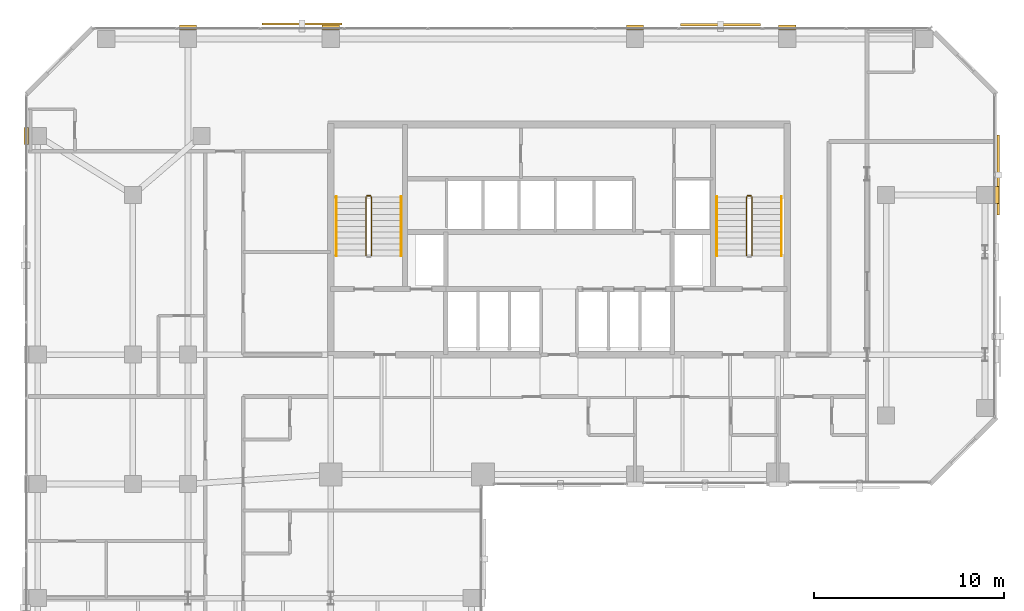
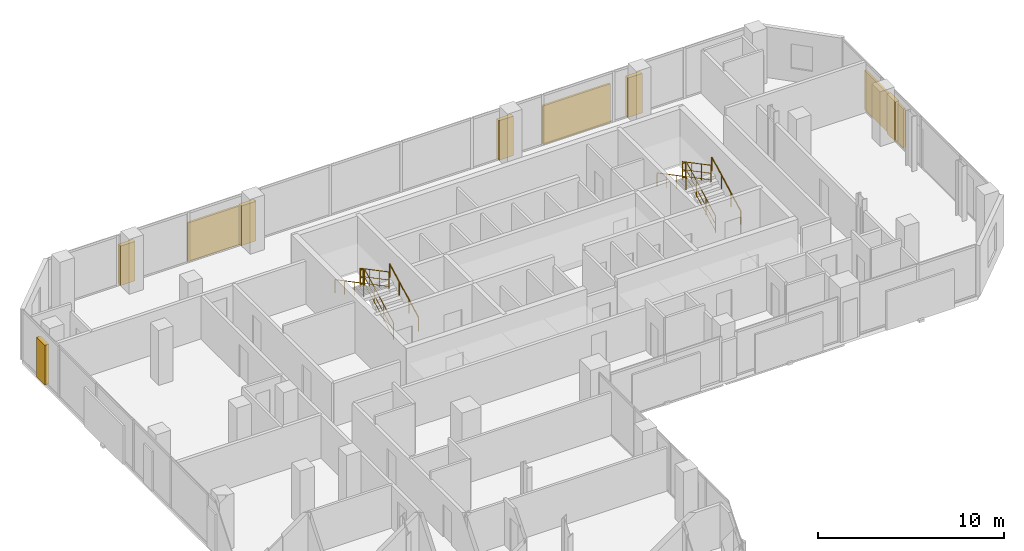
# One storey, part 35 of 35: 10 railings, 6 coverings, 3 shading devices.
"""IFC4 building model written with IfcOpenShell, lengths in metres."""

from ifc_helpers import new_model, si_unit, direction, frame, origin, origin_2d, place, context, subcontext, project, spatial, rectangle, circle, extrude, material, layer, layer_set, type_object, element, save


model = new_model("IFC4")

# Units and contexts
model_context = context("Model", 3, precision=1e-05, world=origin(), true_north=direction((0.0, 1.0)))
body_context = subcontext(model_context, "Body", "Model", "MODEL_VIEW")
ifc_project = project(units=[si_unit("LENGTHUNIT", "METRE"), si_unit("AREAUNIT", "SQUARE_METRE"), si_unit("VOLUMEUNIT", "CUBIC_METRE"), si_unit("PLANEANGLEUNIT", "RADIAN"), si_unit("MASSUNIT", "GRAM", prefix="KILO")], contexts=[model_context])

# Site, building, storey
site_placement = place(None, origin())
site = spatial("IfcSite", under=ifc_project, at=site_placement, CompositionType="ELEMENT")
building_placement = place(site_placement, origin())
building = spatial("IfcBuilding", under=site, at=building_placement, Name="Catumbela Crestline Tower", CompositionType="ELEMENT")
storey_placement = place(building_placement, frame((0.0, 0.0, 90.0)))
storey = spatial("IfcBuildingStorey", under=building, at=storey_placement, Name="L22", CompositionType="ELEMENT", Elevation=90.0)

# Coverings
ifc_material_1 = material(Name="Extruded terracotta ceramic", Category="masonry")
ifc_layer = layer(ifc_material_1, 0.08, Name="Extruded terracotta ceramic")
ifc_layer_set = layer_set([ifc_layer], Name="Extruded terracotta ceramic")
covering_type = type_object("IfcCoveringType", Name="CC-TER", PredefinedType="CLADDING", material=ifc_layer_set)
for number, where, z_axis, x_axis, name in (
    (1, (51.0, 39.2, 0.0), (0.0, 0.0, 1.0), (0.0, 1.0, 0.0), "L22 Fluted Terracotta Column Cladding 86"),
    (2, (8.5, 48.0, 0.0), (0.0, 0.0, 1.0), (-1.0, 0.0, 0.0), "L22 Fluted Terracotta Column Cladding 89"),
    (3, (16.0, 48.0, 0.0), (0.0, 0.0, 1.0), (-1.0, 0.0, 0.0), "L22 Fluted Terracotta Column Cladding 90"),
    (4, (32.0, 48.0, 0.0), (0.0, 0.0, 1.0), (-1.0, 0.0, 0.0), "L22 Fluted Terracotta Column Cladding 91"),
    (5, (40.0, 48.0, 0.0), (0.0, 0.0, 1.0), (-1.0, 0.0, 0.0), "L22 Fluted Terracotta Column Cladding 92"),
    (6, (0.0, 42.3, 0.0), (0.0, 0.0, 1.0), (0.0, -1.0, 0.0), "L22 Fluted Terracotta Column Cladding 95"),
):
    element("IfcCovering", number, at=place(storey_placement, frame(where, z_axis=z_axis, x_axis=x_axis)), inside=storey, type_object=covering_type, Name=name, PredefinedType="CLADDING", context=body_context, shape_type="SweptSolid", body=[
        extrude(rectangle(XDim=0.9, YDim=0.24, at=origin_2d()), origin(), (0.0, 0.0, 1.0), 2.6),
    ])

# Railings
ifc_material_2 = material(Name="Stainless steel EN 1.4401", Category="steel")
railing_type_1 = type_object("IfcRailingType", Name="RG-1100", PredefinedType="GUARDRAIL", material=ifc_material_2)
railing_1_placement = place(storey_placement, frame((18.14, 36.0, 0.1636)))
element("IfcRailing", 7, at=railing_1_placement, inside=storey, type_object=railing_type_1, Name="L22 ST-01 stair guard 1", PredefinedType="GUARDRAIL", context=body_context, shape_type="SweptSolid", body=[
    extrude(circle(Radius=0.024, at=origin_2d()), frame((0.0, 0.0, 1.076), z_axis=(0.0, 0.884350731049, 0.466823076222), x_axis=(-1.0, 0.0, 0.0)), (0.0, 0.0, 1.0), 3.5054),
    extrude(circle(Radius=0.0156, at=origin_2d()), frame((0.0, 0.0, 0.55), z_axis=(0.0, 0.884350731049, 0.466823076222), x_axis=(-1.0, 0.0, 0.0)), (0.0, 0.0, 1.0), 3.5054),
    extrude(circle(Radius=0.0156, at=origin_2d()), frame((0.0, 0.0, 0.12), z_axis=(0.0, 0.884350731049, 0.466823076222), x_axis=(-1.0, 0.0, 0.0)), (0.0, 0.0, 1.0), 3.5054),
    extrude(circle(Radius=0.021, at=origin_2d()), origin(), (0.0, 0.0, 1.0), 1.052),
    extrude(circle(Radius=0.021, at=origin_2d()), frame((0.0, 1.0333, 0.5455)), (0.0, 0.0, 1.0), 1.052),
    extrude(circle(Radius=0.021, at=origin_2d()), frame((0.0, 2.0667, 1.0909)), (0.0, 0.0, 1.0), 1.052),
    extrude(circle(Radius=0.021, at=origin_2d()), frame((0.0, 3.1, 1.6364)), (0.0, 0.0, 1.0), 1.052),
])
railing_2_placement = place(storey_placement, frame((18.09, 39.15, 1.8)))
element("IfcRailing", 8, at=railing_2_placement, inside=storey, type_object=railing_type_1, Name="L22 ST-01 stair guard 2", PredefinedType="GUARDRAIL", context=body_context, shape_type="SweptSolid", body=[
    extrude(circle(Radius=0.024, at=origin_2d()), frame((0.0, 0.0, 1.076), z_axis=(-1.0, 0.0, 0.0), x_axis=(0.0, -1.0, 0.0)), (0.0, 0.0, 1.0), 0.18),
    extrude(circle(Radius=0.0156, at=origin_2d()), frame((0.0, 0.0, 0.55), z_axis=(-1.0, 0.0, 0.0), x_axis=(0.0, -1.0, 0.0)), (0.0, 0.0, 1.0), 0.18),
    extrude(circle(Radius=0.0156, at=origin_2d()), frame((0.0, 0.0, 0.12), z_axis=(-1.0, 0.0, 0.0), x_axis=(0.0, -1.0, 0.0)), (0.0, 0.0, 1.0), 0.18),
    extrude(circle(Radius=0.021, at=origin_2d()), origin(), (0.0, 0.0, 1.0), 1.052),
    extrude(circle(Radius=0.021, at=origin_2d()), frame((-0.18, 0.0, 0.0)), (0.0, 0.0, 1.0), 1.052),
])
railing_3_placement = place(storey_placement, frame((17.86, 39.1, 1.9636)))
element("IfcRailing", 9, at=railing_3_placement, inside=storey, type_object=railing_type_1, Name="L22 ST-01 stair guard 3", PredefinedType="GUARDRAIL", context=body_context, shape_type="SweptSolid", body=[
    extrude(circle(Radius=0.024, at=origin_2d()), frame((0.0, 0.0, 1.076), z_axis=(0.0, -0.884350731049, 0.466823076222), x_axis=(1.0, 0.0, 0.0)), (0.0, 0.0, 1.0), 3.5054),
    extrude(circle(Radius=0.0156, at=origin_2d()), frame((0.0, 0.0, 0.55), z_axis=(0.0, -0.884350731049, 0.466823076222), x_axis=(1.0, 0.0, 0.0)), (0.0, 0.0, 1.0), 3.5054),
    extrude(circle(Radius=0.0156, at=origin_2d()), frame((0.0, 0.0, 0.12), z_axis=(0.0, -0.884350731049, 0.466823076222), x_axis=(1.0, 0.0, 0.0)), (0.0, 0.0, 1.0), 3.5054),
    extrude(circle(Radius=0.021, at=origin_2d()), origin(), (0.0, 0.0, 1.0), 1.052),
    extrude(circle(Radius=0.021, at=origin_2d()), frame((0.0, -1.0333, 0.5455)), (0.0, 0.0, 1.0), 1.052),
    extrude(circle(Radius=0.021, at=origin_2d()), frame((0.0, -2.0667, 1.0909)), (0.0, 0.0, 1.0), 1.052),
    extrude(circle(Radius=0.021, at=origin_2d()), frame((0.0, -3.1, 1.6364)), (0.0, 0.0, 1.0), 1.052),
])
railing_4_placement = place(storey_placement, frame((38.14, 36.0, 0.1636)))
element("IfcRailing", 10, at=railing_4_placement, inside=storey, type_object=railing_type_1, Name="L22 ST-02 stair guard 1", PredefinedType="GUARDRAIL", context=body_context, shape_type="SweptSolid", body=[
    extrude(circle(Radius=0.024, at=origin_2d()), frame((0.0, 0.0, 1.076), z_axis=(0.0, 0.884350731049, 0.466823076222), x_axis=(-1.0, 0.0, 0.0)), (0.0, 0.0, 1.0), 3.5054),
    extrude(circle(Radius=0.0156, at=origin_2d()), frame((0.0, 0.0, 0.55), z_axis=(0.0, 0.884350731049, 0.466823076222), x_axis=(-1.0, 0.0, 0.0)), (0.0, 0.0, 1.0), 3.5054),
    extrude(circle(Radius=0.0156, at=origin_2d()), frame((0.0, 0.0, 0.12), z_axis=(0.0, 0.884350731049, 0.466823076222), x_axis=(-1.0, 0.0, 0.0)), (0.0, 0.0, 1.0), 3.5054),
    extrude(circle(Radius=0.021, at=origin_2d()), origin(), (0.0, 0.0, 1.0), 1.052),
    extrude(circle(Radius=0.021, at=origin_2d()), frame((0.0, 1.0333, 0.5455)), (0.0, 0.0, 1.0), 1.052),
    extrude(circle(Radius=0.021, at=origin_2d()), frame((0.0, 2.0667, 1.0909)), (0.0, 0.0, 1.0), 1.052),
    extrude(circle(Radius=0.021, at=origin_2d()), frame((0.0, 3.1, 1.6364)), (0.0, 0.0, 1.0), 1.052),
])
railing_5_placement = place(storey_placement, frame((38.09, 39.15, 1.8)))
element("IfcRailing", 11, at=railing_5_placement, inside=storey, type_object=railing_type_1, Name="L22 ST-02 stair guard 2", PredefinedType="GUARDRAIL", context=body_context, shape_type="SweptSolid", body=[
    extrude(circle(Radius=0.024, at=origin_2d()), frame((0.0, 0.0, 1.076), z_axis=(-1.0, 0.0, 0.0), x_axis=(0.0, -1.0, 0.0)), (0.0, 0.0, 1.0), 0.18),
    extrude(circle(Radius=0.0156, at=origin_2d()), frame((0.0, 0.0, 0.55), z_axis=(-1.0, 0.0, 0.0), x_axis=(0.0, -1.0, 0.0)), (0.0, 0.0, 1.0), 0.18),
    extrude(circle(Radius=0.0156, at=origin_2d()), frame((0.0, 0.0, 0.12), z_axis=(-1.0, 0.0, 0.0), x_axis=(0.0, -1.0, 0.0)), (0.0, 0.0, 1.0), 0.18),
    extrude(circle(Radius=0.021, at=origin_2d()), origin(), (0.0, 0.0, 1.0), 1.052),
    extrude(circle(Radius=0.021, at=origin_2d()), frame((-0.18, 0.0, 0.0)), (0.0, 0.0, 1.0), 1.052),
])
railing_6_placement = place(storey_placement, frame((37.86, 39.1, 1.9636)))
element("IfcRailing", 12, at=railing_6_placement, inside=storey, type_object=railing_type_1, Name="L22 ST-02 stair guard 3", PredefinedType="GUARDRAIL", context=body_context, shape_type="SweptSolid", body=[
    extrude(circle(Radius=0.024, at=origin_2d()), frame((0.0, 0.0, 1.076), z_axis=(0.0, -0.884350731049, 0.466823076222), x_axis=(1.0, 0.0, 0.0)), (0.0, 0.0, 1.0), 3.5054),
    extrude(circle(Radius=0.0156, at=origin_2d()), frame((0.0, 0.0, 0.55), z_axis=(0.0, -0.884350731049, 0.466823076222), x_axis=(1.0, 0.0, 0.0)), (0.0, 0.0, 1.0), 3.5054),
    extrude(circle(Radius=0.0156, at=origin_2d()), frame((0.0, 0.0, 0.12), z_axis=(0.0, -0.884350731049, 0.466823076222), x_axis=(1.0, 0.0, 0.0)), (0.0, 0.0, 1.0), 3.5054),
    extrude(circle(Radius=0.021, at=origin_2d()), origin(), (0.0, 0.0, 1.0), 1.052),
    extrude(circle(Radius=0.021, at=origin_2d()), frame((0.0, -1.0333, 0.5455)), (0.0, 0.0, 1.0), 1.052),
    extrude(circle(Radius=0.021, at=origin_2d()), frame((0.0, -2.0667, 1.0909)), (0.0, 0.0, 1.0), 1.052),
    extrude(circle(Radius=0.021, at=origin_2d()), frame((0.0, -3.1, 1.6364)), (0.0, 0.0, 1.0), 1.052),
])
railing_type_2 = type_object("IfcRailingType", Name="RH-0900", PredefinedType="HANDRAIL", material=ifc_material_2)
railing_7_placement = place(storey_placement, frame((19.7, 36.0, 0.1636)))
element("IfcRailing", 13, at=railing_7_placement, inside=storey, type_object=railing_type_2, Name="L22 ST-01 stair handrail 1", PredefinedType="HANDRAIL", context=body_context, shape_type="SweptSolid", body=[
    extrude(circle(Radius=0.024, at=origin_2d()), frame((0.0, 0.0, 0.876), z_axis=(0.0, 0.884350731049, 0.466823076222), x_axis=(-1.0, 0.0, 0.0)), (0.0, 0.0, 1.0), 3.5054),
    extrude(circle(Radius=0.021, at=origin_2d()), origin(), (0.0, 0.0, 1.0), 0.852),
    extrude(circle(Radius=0.021, at=origin_2d()), frame((0.0, 1.0333, 0.5455)), (0.0, 0.0, 1.0), 0.852),
    extrude(circle(Radius=0.021, at=origin_2d()), frame((0.0, 2.0667, 1.0909)), (0.0, 0.0, 1.0), 0.852),
    extrude(circle(Radius=0.021, at=origin_2d()), frame((0.0, 3.1, 1.6364)), (0.0, 0.0, 1.0), 0.852),
])
railing_8_placement = place(storey_placement, frame((16.3, 39.1, 1.9636)))
element("IfcRailing", 14, at=railing_8_placement, inside=storey, type_object=railing_type_2, Name="L22 ST-01 stair handrail 2", PredefinedType="HANDRAIL", context=body_context, shape_type="SweptSolid", body=[
    extrude(circle(Radius=0.024, at=origin_2d()), frame((0.0, 0.0, 0.876), z_axis=(0.0, -0.884350731049, 0.466823076222), x_axis=(1.0, 0.0, 0.0)), (0.0, 0.0, 1.0), 3.5054),
    extrude(circle(Radius=0.021, at=origin_2d()), origin(), (0.0, 0.0, 1.0), 0.852),
    extrude(circle(Radius=0.021, at=origin_2d()), frame((0.0, -1.0333, 0.5455)), (0.0, 0.0, 1.0), 0.852),
    extrude(circle(Radius=0.021, at=origin_2d()), frame((0.0, -2.0667, 1.0909)), (0.0, 0.0, 1.0), 0.852),
    extrude(circle(Radius=0.021, at=origin_2d()), frame((0.0, -3.1, 1.6364)), (0.0, 0.0, 1.0), 0.852),
])
railing_9_placement = place(storey_placement, frame((39.7, 36.0, 0.1636)))
element("IfcRailing", 15, at=railing_9_placement, inside=storey, type_object=railing_type_2, Name="L22 ST-02 stair handrail 1", PredefinedType="HANDRAIL", context=body_context, shape_type="SweptSolid", body=[
    extrude(circle(Radius=0.024, at=origin_2d()), frame((0.0, 0.0, 0.876), z_axis=(0.0, 0.884350731049, 0.466823076222), x_axis=(-1.0, 0.0, 0.0)), (0.0, 0.0, 1.0), 3.5054),
    extrude(circle(Radius=0.021, at=origin_2d()), origin(), (0.0, 0.0, 1.0), 0.852),
    extrude(circle(Radius=0.021, at=origin_2d()), frame((0.0, 1.0333, 0.5455)), (0.0, 0.0, 1.0), 0.852),
    extrude(circle(Radius=0.021, at=origin_2d()), frame((0.0, 2.0667, 1.0909)), (0.0, 0.0, 1.0), 0.852),
    extrude(circle(Radius=0.021, at=origin_2d()), frame((0.0, 3.1, 1.6364)), (0.0, 0.0, 1.0), 0.852),
])
railing_10_placement = place(storey_placement, frame((36.3, 39.1, 1.9636)))
element("IfcRailing", 16, at=railing_10_placement, inside=storey, type_object=railing_type_2, Name="L22 ST-02 stair handrail 2", PredefinedType="HANDRAIL", context=body_context, shape_type="SweptSolid", body=[
    extrude(circle(Radius=0.024, at=origin_2d()), frame((0.0, 0.0, 0.876), z_axis=(0.0, -0.884350731049, 0.466823076222), x_axis=(1.0, 0.0, 0.0)), (0.0, 0.0, 1.0), 3.5054),
    extrude(circle(Radius=0.021, at=origin_2d()), origin(), (0.0, 0.0, 1.0), 0.852),
    extrude(circle(Radius=0.021, at=origin_2d()), frame((0.0, -1.0333, 0.5455)), (0.0, 0.0, 1.0), 0.852),
    extrude(circle(Radius=0.021, at=origin_2d()), frame((0.0, -2.0667, 1.0909)), (0.0, 0.0, 1.0), 0.852),
    extrude(circle(Radius=0.021, at=origin_2d()), frame((0.0, -3.1, 1.6364)), (0.0, 0.0, 1.0), 0.852),
])

# Shading devices
shading_device_type_1 = type_object("IfcShadingDeviceType", Name="ST-180", PredefinedType="USERDEFINED", material=ifc_material_1)
shading_device_1_placement = place(storey_placement, frame((51.099, 40.25, -0.1), z_axis=(0.0, 0.0, 1.0), x_axis=(0.0, 1.0, 0.0)))
element("IfcShadingDevice", 17, at=shading_device_1_placement, inside=storey, type_object=shading_device_type_1, Name="L22 Perforated Terracotta Solar Screen 219 (180 mm)", ObjectType="SCREEN", PredefinedType="USERDEFINED", context=body_context, shape_type="SweptSolid", body=[
    extrude(rectangle(XDim=4.2, YDim=0.12, at=origin_2d()), origin(), (0.0, 0.0, 1.0), 2.55),
])
shading_device_type_2 = type_object("IfcShadingDeviceType", Name="ST-260", PredefinedType="USERDEFINED", material=ifc_material_1)
shading_device_2_placement = place(storey_placement, frame((36.5, 48.143, -0.1), z_axis=(0.0, 0.0, 1.0), x_axis=(-1.0, 0.0, 0.0)))
element("IfcShadingDevice", 18, at=shading_device_2_placement, inside=storey, type_object=shading_device_type_2, Name="L22 Perforated Terracotta Solar Screen 220 (260 mm)", ObjectType="SCREEN", PredefinedType="USERDEFINED", context=body_context, shape_type="SweptSolid", body=[
    extrude(rectangle(XDim=4.2, YDim=0.12, at=origin_2d()), origin(), (0.0, 0.0, 1.0), 2.55),
])
shading_device_type_3 = type_object("IfcShadingDeviceType", Name="ST-340", PredefinedType="USERDEFINED", material=ifc_material_1)
shading_device_3_placement = place(storey_placement, frame((14.5, 48.187, -0.1), z_axis=(0.0, 0.0, 1.0), x_axis=(-1.0, 0.0, 0.0)))
element("IfcShadingDevice", 19, at=shading_device_3_placement, inside=storey, type_object=shading_device_type_3, Name="L22 Perforated Terracotta Solar Screen 221 (340 mm)", ObjectType="SCREEN", PredefinedType="USERDEFINED", context=body_context, shape_type="SweptSolid", body=[
    extrude(rectangle(XDim=4.2, YDim=0.12, at=origin_2d()), origin(), (0.0, 0.0, 1.0), 2.55),
])

save(model, "model.ifc")
